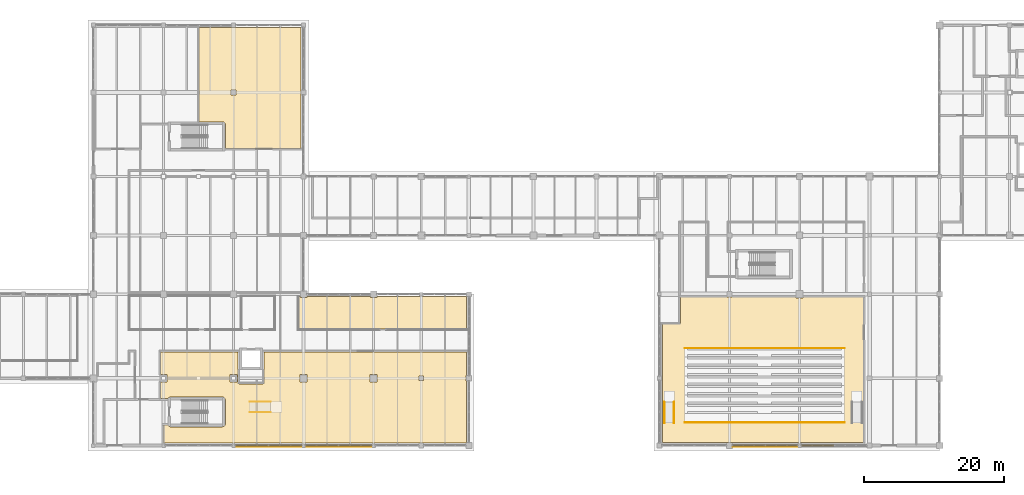
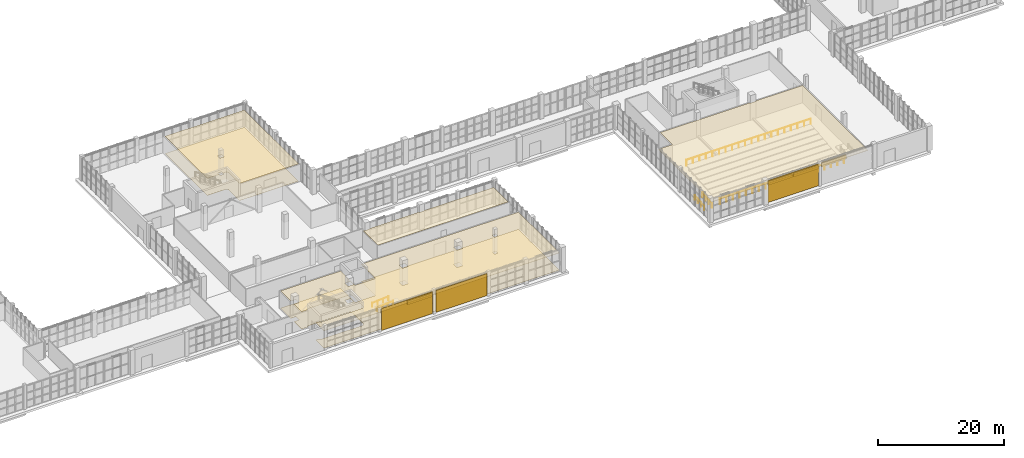
# One storey, part 118 of 121: 13 coverings, 6 railings, 3 shading devices.
"""IFC4 building model written with IfcOpenShell, lengths in metres."""

import ifcopenshell
import ifcopenshell.guid

model = None  # the IFC model being written
_history = None  # IfcOwnerHistory: only IFC2X3 demands one
_inside = {}  # id of a spatial element -> (the spatial element, [elements in it])
_under = {}  # id of a project, library or spatial element -> (it, [spatial elements below it])
_declared = {}  # id of a project -> (the project, [libraries it declares])
_typed = {}  # id of a type object -> (the type object, [elements of that type])
_made_of = {}  # id of a material, layer set ... -> (it, [elements and type objects made of it])


def new_model(schema):
    """Start an empty IFC model of exactly this schema.

    Asked for "IFC4X3", IfcOpenShell would pick the latest addendum, in which some entities
    have other attributes; the version numbers below select the first issue.
    IFC2X3 requires an IfcOwnerHistory on every rooted entity: one is made here for all.
    """
    global model, _history
    if schema == "IFC4X3":
        model = ifcopenshell.file(schema_version=(4, 3, 0, 0))
    else:
        model = ifcopenshell.file(schema=schema)
    _inside.clear()
    _under.clear()
    _declared.clear()
    _typed.clear()
    _made_of.clear()
    _history = None
    if model.schema == "IFC2X3":
        org = make("IfcOrganization", Name="unknown")
        user = make(
            "IfcPersonAndOrganization",
            ThePerson=make("IfcPerson", FamilyName="unknown"),
            TheOrganization=org,
        )
        app = make(
            "IfcApplication",
            ApplicationDeveloper=org,
            Version="unknown",
            ApplicationFullName="unknown",
            ApplicationIdentifier="unknown",
        )
        _history = make(
            "IfcOwnerHistory",
            OwningUser=user,
            OwningApplication=app,
            ChangeAction="ADDED",
            CreationDate=0,
        )
    return model


def make(cls, **values):
    """One entity of the class cls with the attributes given. An attribute that is None is left unset."""
    return model.create_entity(
        cls, **{name: value for name, value in values.items() if value is not None}
    )


def rooted(cls, **values):
    """An entity with a GlobalId (a new one), such as an element, a storey or a relation."""
    return make(cls, GlobalId=ifcopenshell.guid.new(), OwnerHistory=_history, **values)


def si_unit(unit_type, name, prefix=None):
    """IfcSIUnit, for example si_unit("LENGTHUNIT", "METRE", prefix="MILLI")."""
    return make("IfcSIUnit", UnitType=unit_type, Prefix=prefix, Name=name)


def assignment(units):
    """IfcUnitAssignment: the units of a project."""
    return None if units is None else make("IfcUnitAssignment", Units=units)


def point(xyz):
    """IfcCartesianPoint."""
    return None if xyz is None else make("IfcCartesianPoint", Coordinates=xyz)


def direction(xyz):
    """IfcDirection."""
    return None if xyz is None else make("IfcDirection", DirectionRatios=xyz)


def frame(location, z_axis=None, x_axis=None):
    """IfcAxis2Placement3D, a coordinate frame: its origin and axes. An axis left out is left unset."""
    return make(
        "IfcAxis2Placement3D",
        Location=point(location),
        Axis=direction(z_axis),
        RefDirection=direction(x_axis),
    )


def frame_2d(location, x_axis=None):
    """IfcAxis2Placement2D, a coordinate frame in the plane: its origin and x axis."""
    return make(
        "IfcAxis2Placement2D", Location=point(location), RefDirection=direction(x_axis)
    )


def origin():
    """The frame at (0, 0, 0) with its axes left unset."""
    return frame((0.0, 0.0, 0.0))


def origin_2d():
    """The frame at (0, 0) in the plane with its x axis left unset."""
    return frame_2d((0.0, 0.0))


def place(relative_to, where):
    """IfcLocalPlacement: puts the frame where relative to a parent placement (None: the world)."""
    return make(
        "IfcLocalPlacement", PlacementRelTo=relative_to, RelativePlacement=where
    )


def context(
    kind, dimensions, precision=None, world=None, true_north=None, identifier=None
):
    """IfcGeometricRepresentationContext, for example the 3D "Model" context."""
    return make(
        "IfcGeometricRepresentationContext",
        ContextIdentifier=identifier,
        ContextType=kind,
        CoordinateSpaceDimension=dimensions,
        Precision=precision,
        WorldCoordinateSystem=world,
        TrueNorth=true_north,
    )


def subcontext(parent, identifier, kind, view, scale=None):
    """IfcGeometricRepresentationSubContext, for example "Body" below "Model"."""
    return make(
        "IfcGeometricRepresentationSubContext",
        ContextIdentifier=identifier,
        ContextType=kind,
        ParentContext=parent,
        TargetScale=scale,
        TargetView=view,
    )


def project(units=None, contexts=None):
    """IfcProject with its units and contexts."""
    return rooted(
        "IfcProject",
        Name="project",
        RepresentationContexts=contexts,
        UnitsInContext=assignment(units),
    )


def spatial(cls, under=None, at=None, **own):
    """A site, building, storey or space (cls), placed at a placement, below another one or the project."""
    s = rooted(cls, ObjectPlacement=at, **own)
    if under is not None:
        _under.setdefault(under.id(), (under, []))[1].append(s)
    return s


def polyline(points):
    """IfcPolyline through the points."""
    return make("IfcPolyline", Points=[point(p) for p in points])


def profile(cls, at=None, kind="AREA", **sizes):
    """A parametric profile (cls). Its sizes go by their IFC names, for example OverallWidth=200.0."""
    return make(cls, ProfileType=kind, Position=at, **sizes)


def rectangle(**sizes):
    """IfcRectangleProfileDef."""
    return profile("IfcRectangleProfileDef", **sizes)


def circle(**sizes):
    """IfcCircleProfileDef."""
    return profile("IfcCircleProfileDef", **sizes)


def outline(outer, holes=None, kind="AREA"):
    """IfcArbitraryClosedProfileDef: a profile drawn as a closed curve; with holes, ...WithVoids."""
    if holes is None:
        return make("IfcArbitraryClosedProfileDef", ProfileType=kind, OuterCurve=outer)
    return make(
        "IfcArbitraryProfileDefWithVoids",
        ProfileType=kind,
        OuterCurve=outer,
        InnerCurves=holes,
    )


def extrude(swept, where, along, depth):
    """IfcExtrudedAreaSolid: the profile swept, set in the frame where, extruded along a direction by depth."""
    return make(
        "IfcExtrudedAreaSolid",
        SweptArea=swept,
        Position=where,
        ExtrudedDirection=direction(along),
        Depth=depth,
    )


def shape(context_of_items, identifier, shape_type, items):
    """IfcShapeRepresentation: the items that make up one representation, for example the "Body"."""
    return make(
        "IfcShapeRepresentation",
        ContextOfItems=context_of_items,
        RepresentationIdentifier=identifier,
        RepresentationType=shape_type,
        Items=items,
    )


def material(Name=None, Category=None):
    """IfcMaterial."""
    return make("IfcMaterial", Name=Name, Category=Category)


def layer(
    of_material, thickness, ventilated=None, Name=None, Category=None, Priority=None
):
    """IfcMaterialLayer: one layer of a wall or slab, of a material (None: an air gap)."""
    return make(
        "IfcMaterialLayer",
        Material=of_material,
        LayerThickness=thickness,
        IsVentilated=ventilated,
        Name=Name,
        Category=Category,
        Priority=Priority,
    )


def layer_set(layers, Name=None):
    """IfcMaterialLayerSet."""
    return make("IfcMaterialLayerSet", MaterialLayers=layers, LayerSetName=Name)


def made_of(thing, what):
    """Note that an element or type object is made of a material, layer set ...; save() writes the relation."""
    if what is not None:
        _made_of.setdefault(what.id(), (what, []))[1].append(thing)
    return thing


def type_object(cls, material=None, **own):
    """A type object (cls), such as IfcWallType, which elements share."""
    return made_of(rooted(cls, **own), material)


def element(
    cls,
    number,
    at=None,
    inside=None,
    cuts=None,
    type_object=None,
    material=None,
    context=None,
    identifier="Body",
    shape_type=None,
    held_by="IfcProductDefinitionShape",
    body=None,
    shapes=None,
    **own,
):
    """One element of the class cls, such as IfcWall. Its Tag is "e" and its number.

    at: its placement. inside: the storey or other place that contains it. cuts: it is an
    opening in that element (IfcRelVoidsElement). A single representation is given by context,
    identifier, shape_type and body (its items); several are given by shapes. held_by: the class
    of the entity that holds the representations. save() writes the other relations.
    """
    e = rooted(cls, Tag="e%d" % number, ObjectPlacement=at, **own)
    if body is not None:
        shapes = [shape(context, identifier, shape_type, body)]
    if shapes is not None:
        e.Representation = make(held_by, Representations=shapes)
    if inside is not None:
        _inside.setdefault(inside.id(), (inside, []))[1].append(e)
    if cuts is not None:
        rooted(
            "IfcRelVoidsElement", RelatingBuildingElement=cuts, RelatedOpeningElement=e
        )
    if type_object is not None:
        _typed.setdefault(type_object.id(), (type_object, []))[1].append(e)
    return made_of(e, material)


def aggregate(whole, parts):
    """IfcRelAggregates: a whole, such as a stair, and the parts it consists of."""
    return rooted("IfcRelAggregates", RelatingObject=whole, RelatedObjects=parts)


def save(model, path):
    """Write the relations noted so far, then the file.

    IfcRelAggregates (storeys below a building ...), IfcRelContainedInSpatialStructure (elements
    in a storey), IfcRelDefinesByType, IfcRelAssociatesMaterial and IfcRelDeclares: one each for
    every whole, place, type object, material and project.
    """
    for whole, parts in _under.values():
        aggregate(whole, parts)
    for where, things in _inside.values():
        rooted(
            "IfcRelContainedInSpatialStructure",
            RelatedElements=things,
            RelatingStructure=where,
        )
    for kind, things in _typed.values():
        rooted("IfcRelDefinesByType", RelatedObjects=things, RelatingType=kind)
    for what, things in _made_of.values():
        rooted("IfcRelAssociatesMaterial", RelatedObjects=things, RelatingMaterial=what)
    for by, libraries in _declared.values():
        rooted("IfcRelDeclares", RelatingContext=by, RelatedDefinitions=libraries)
    model.write(path)


model = new_model("IFC4")

# Units and contexts
model_context = context("Model", 3, precision=1e-05, world=origin(), true_north=direction((0.0, 1.0)))
body_context = subcontext(model_context, "Body", "Model", "MODEL_VIEW")
ifc_project = project(units=[si_unit("LENGTHUNIT", "METRE"), si_unit("AREAUNIT", "SQUARE_METRE"), si_unit("VOLUMEUNIT", "CUBIC_METRE"), si_unit("PLANEANGLEUNIT", "RADIAN"), si_unit("MASSUNIT", "GRAM", prefix="KILO")], contexts=[model_context])

# Site, building, storey
site_placement = place(None, origin())
site = spatial("IfcSite", under=ifc_project, at=site_placement, CompositionType="ELEMENT")
building_placement = place(site_placement, origin())
building = spatial("IfcBuilding", under=site, at=building_placement, Name="Zereglee Splitstone Museum", CompositionType="ELEMENT")
storey_placement = place(building_placement, origin())
storey = spatial("IfcBuildingStorey", under=building, at=storey_placement, Name="L00", CompositionType="ELEMENT", Elevation=0.0)

# Coverings
ifc_material_1 = material(Name="Perforated acoustic gypsum board ceiling", Category="masonry")
ifc_layer_1 = layer(ifc_material_1, 0.044921875)
ifc_layer_set_1 = layer_set([ifc_layer_1], Name="Perforated acoustic gypsum board ceiling")
covering_type_1 = type_object("IfcCoveringType", Name="CLG-02", PredefinedType="CEILING", material=ifc_layer_set_1)
covering_1_placement = place(storey_placement, frame((0.0, 0.0, 3.3349609375)))
element("IfcCovering", 1, at=covering_1_placement, inside=storey, type_object=covering_type_1, Name="Acoustic Ceiling L00-013", PredefinedType="CEILING", context=body_context, shape_type="SweptSolid", body=[
    extrude(outline(polyline([(204.52001953125, 21.260009765625), (204.741943359375, 21.260009765625), (204.741943359375, 21.14208984375), (205.657958984375, 21.14208984375), (205.657958984375, 21.260009765625), (214.741943359375, 21.260009765625), (214.741943359375, 21.14208984375), (215.657958984375, 21.14208984375), (215.657958984375, 21.260009765625), (228.44189453125, 21.260009765625), (228.44189453125, 21.241943359375), (228.4599609375, 21.241943359375), (228.4599609375, 16.6298828125), (204.52001953125, 16.6298828125), (204.52001953125, 21.260009765625)])), origin(), (0.0, 0.0, 1.0), 0.044921875),
])
ifc_material_2 = material(Name="Siberian larch acoustic timber ceiling", Category="wood")
ifc_layer_2 = layer(ifc_material_2, 0.06005859375)
ifc_layer_set_2 = layer_set([ifc_layer_2], Name="Siberian larch acoustic timber ceiling")
covering_type_2 = type_object("IfcCoveringType", Name="CLG-01", PredefinedType="CEILING", material=ifc_layer_set_2)
covering_2_placement = place(storey_placement, frame((0.0, 0.0, 3.320068359375)))
element("IfcCovering", 2, at=covering_2_placement, inside=storey, type_object=covering_type_2, Name="Acoustic Ceiling L00-010", PredefinedType="CEILING", context=body_context, shape_type="SweptSolid", body=[
    extrude(outline(polyline([(184.780029296875, 9.092041015625), (185.7080078125, 9.092041015625), (185.7080078125, 10.10791015625), (184.780029296875, 10.10791015625), (184.780029296875, 13.3701171875), (195.820068359375, 13.3701171875), (195.820068359375, 9.0), (195.820068359375, 8.9990234375), (195.82080078125, 8.9833984375), (195.821044921875, 8.9814453125), (195.8232421875, 8.9658203125), (195.82373046875, 8.9638671875), (195.827392578125, 8.94873046875), (195.828125, 8.94677734375), (195.833251953125, 8.931884765625), (195.833984375, 8.93017578125), (195.8408203125, 8.916015625), (195.841796875, 8.914306640625), (195.849853515625, 8.90087890625), (195.850830078125, 8.899169921875), (195.8603515625, 8.88671875), (195.861572265625, 8.885009765625), (195.8720703125, 8.873291015625), (195.873291015625, 8.8720703125), (195.885009765625, 8.861572265625), (195.88671875, 8.8603515625), (195.899169921875, 8.850830078125), (195.90087890625, 8.849853515625), (195.914306640625, 8.841796875), (195.916015625, 8.8408203125), (195.93017578125, 8.833984375), (195.931884765625, 8.833251953125), (195.94677734375, 8.828125), (195.94873046875, 8.827392578125), (195.9638671875, 8.82373046875), (195.9658203125, 8.8232421875), (195.9814453125, 8.821044921875), (195.9833984375, 8.82080078125), (195.9990234375, 8.820068359375), (196.0, 8.820068359375), (199.39990234375, 8.820068359375), (199.40087890625, 8.820068359375), (199.416748046875, 8.82080078125), (199.418701171875, 8.821044921875), (199.43408203125, 8.8232421875), (199.43603515625, 8.82373046875), (199.451416015625, 8.827392578125), (199.453125, 8.828125), (199.468017578125, 8.833251953125), (199.4697265625, 8.833984375), (199.48388671875, 8.8408203125), (199.485595703125, 8.841796875), (199.499267578125, 8.849853515625), (199.500732421875, 8.850830078125), (199.513427734375, 8.8603515625), (199.514892578125, 8.861572265625), (199.526611328125, 8.8720703125), (199.528076171875, 8.873291015625), (199.53857421875, 8.885009765625), (199.539794921875, 8.88671875), (199.549072265625, 8.899169921875), (199.55029296875, 8.90087890625), (199.558349609375, 8.914306640625), (199.55908203125, 8.916015625), (199.56591796875, 8.93017578125), (199.566650390625, 8.931884765625), (199.572021484375, 8.94677734375), (199.572509765625, 8.94873046875), (199.576416015625, 8.9638671875), (199.57666015625, 8.9658203125), (199.5791015625, 8.9814453125), (199.5791015625, 8.9833984375), (199.580078125, 8.9990234375), (199.580078125, 9.0), (199.580078125, 13.3701171875), (228.4599609375, 13.3701171875), (228.4599609375, 9.98291015625), (228.4169921875, 9.98291015625), (228.4169921875, 9.217041015625), (228.4599609375, 9.217041015625), (228.4599609375, 0.43310546875), (228.366943359375, 0.43310546875), (228.366943359375, 0.340087890625), (222.35791015625, 0.340087890625), (222.35791015625, 0.35791015625), (221.64208984375, 0.35791015625), (221.64208984375, 0.340087890625), (185.219970703125, 0.340087890625), (185.219970703125, 2.919921875), (185.821044921875, 2.919921875), (185.82958984375, 2.902099609375), (185.850830078125, 2.86669921875), (185.875244140625, 2.83349609375), (185.903076171875, 2.802978515625), (185.93359375, 2.775390625), (185.966796875, 2.750732421875), (186.001953125, 2.7294921875), (186.039306640625, 2.7119140625), (186.078125, 2.697998046875), (186.1181640625, 2.68798828125), (186.15869140625, 2.681884765625), (186.199951171875, 2.679931640625), (193.60009765625, 2.679931640625), (193.64111328125, 2.681884765625), (193.681884765625, 2.68798828125), (193.721923828125, 2.697998046875), (193.7607421875, 2.7119140625), (193.798095703125, 2.7294921875), (193.833251953125, 2.750732421875), (193.866455078125, 2.775390625), (193.89697265625, 2.802978515625), (193.9248046875, 2.83349609375), (193.94921875, 2.86669921875), (193.970458984375, 2.902099609375), (193.988037109375, 2.939208984375), (194.001953125, 2.97802734375), (194.011962890625, 3.01806640625), (194.01806640625, 3.058837890625), (194.02001953125, 3.10009765625), (194.02001953125, 6.5), (194.01806640625, 6.541259765625), (194.011962890625, 6.581787109375), (194.001953125, 6.621826171875), (193.988037109375, 6.66064453125), (193.970458984375, 6.697998046875), (193.94921875, 6.7333984375), (193.9248046875, 6.766357421875), (193.89697265625, 6.797119140625), (193.866455078125, 6.82470703125), (193.833251953125, 6.84912109375), (193.798095703125, 6.870361328125), (193.7607421875, 6.887939453125), (193.721923828125, 6.90185546875), (193.681884765625, 6.911865234375), (193.64111328125, 6.91796875), (193.60009765625, 6.919921875), (186.199951171875, 6.919921875), (186.15869140625, 6.91796875), (186.1181640625, 6.911865234375), (186.078125, 6.90185546875), (186.039306640625, 6.887939453125), (186.001953125, 6.870361328125), (185.966796875, 6.84912109375), (185.93359375, 6.82470703125), (185.903076171875, 6.797119140625), (185.875244140625, 6.766357421875), (185.850830078125, 6.7333984375), (185.82958984375, 6.697998046875), (185.821044921875, 6.679931640625), (184.780029296875, 6.679931640625), (184.780029296875, 9.092041015625)]), holes=[polyline([(204.69189453125, 10.10791015625), (204.69189453125, 9.092041015625), (205.7080078125, 9.092041015625), (205.7080078125, 10.10791015625), (204.69189453125, 10.10791015625)]), polyline([(221.69189453125, 9.907958984375), (221.69189453125, 9.2919921875), (222.30810546875, 9.2919921875), (222.30810546875, 9.907958984375), (221.69189453125, 9.907958984375)]), polyline([(194.69189453125, 10.10791015625), (194.69189453125, 9.092041015625), (195.7080078125, 9.092041015625), (195.7080078125, 10.10791015625), (194.69189453125, 10.10791015625)]), polyline([(215.7080078125, 10.10791015625), (214.69189453125, 10.10791015625), (214.69189453125, 9.092041015625), (215.7080078125, 9.092041015625), (215.7080078125, 10.10791015625)])]), origin(), (0.0, 0.0, 1.0), 0.059814453125),
])
covering_3_placement = place(storey_placement, frame((0.0, 0.0, 3.320068359375)))
element("IfcCovering", 3, at=covering_3_placement, inside=storey, type_object=covering_type_2, Name="Acoustic Ceiling L00-016", PredefinedType="CEILING", context=body_context, shape_type="SweptSolid", body=[
    extrude(outline(polyline([(194.02001953125, 45.800048828125), (194.01806640625, 45.84130859375), (194.011962890625, 45.8818359375), (194.001953125, 45.921875), (193.988037109375, 45.960693359375), (193.970458984375, 45.998046875), (193.94921875, 46.033203125), (193.9248046875, 46.06640625), (193.89697265625, 46.096923828125), (193.866455078125, 46.124755859375), (193.833251953125, 46.149169921875), (193.798095703125, 46.17041015625), (193.7607421875, 46.18798828125), (193.721923828125, 46.201904296875), (193.681884765625, 46.2119140625), (193.64111328125, 46.218017578125), (193.60009765625, 46.219970703125), (190.300048828125, 46.219970703125), (190.300048828125, 59.659912109375), (204.860107421875, 59.659912109375), (204.860107421875, 50.758056640625), (204.842041015625, 50.758056640625), (204.842041015625, 50.0419921875), (204.860107421875, 50.0419921875), (204.860107421875, 42.429931640625), (194.02001953125, 42.429931640625), (194.02001953125, 45.800048828125)]), holes=[polyline([(194.842041015625, 50.758056640625), (194.842041015625, 50.0419921875), (195.55810546875, 50.0419921875), (195.55810546875, 50.758056640625), (194.842041015625, 50.758056640625)])]), origin(), (0.0, 0.0, 1.0), 0.059814453125),
])
covering_4_placement = place(storey_placement, frame((0.0, 0.0, 3.320068359375)))
element("IfcCovering", 4, at=covering_4_placement, inside=storey, type_object=covering_type_2, Name="Acoustic Ceiling L00-018", PredefinedType="CEILING", context=body_context, shape_type="SweptSolid", body=[
    extrude(outline(polyline([(256.419921875, 17.320068359375), (258.800048828125, 17.320068359375), (258.801025390625, 17.320068359375), (258.816650390625, 17.32080078125), (258.818603515625, 17.321044921875), (258.833984375, 17.3232421875), (258.836181640625, 17.32373046875), (258.851318359375, 17.327392578125), (258.853271484375, 17.328125), (258.867919921875, 17.333251953125), (258.869873046875, 17.333984375), (258.884033203125, 17.3408203125), (258.8857421875, 17.341796875), (258.899169921875, 17.349853515625), (258.90087890625, 17.350830078125), (258.913330078125, 17.3603515625), (258.914794921875, 17.361572265625), (258.926513671875, 17.3720703125), (258.927978515625, 17.373291015625), (258.9384765625, 17.385009765625), (258.939697265625, 17.38671875), (258.94921875, 17.399169921875), (258.9501953125, 17.40087890625), (258.958251953125, 17.414306640625), (258.959228515625, 17.416015625), (258.9658203125, 17.43017578125), (258.966796875, 17.431884765625), (258.971923828125, 17.44677734375), (258.972412109375, 17.44873046875), (258.976318359375, 17.4638671875), (258.976806640625, 17.4658203125), (258.97900390625, 17.4814453125), (258.979248046875, 17.4833984375), (258.97998046875, 17.4990234375), (258.97998046875, 17.5), (258.97998046875, 21.199951171875), (275.491943359375, 21.199951171875), (275.491943359375, 21.092041015625), (276.508056640625, 21.092041015625), (276.508056640625, 21.199951171875), (285.1201171875, 21.199951171875), (285.1201171875, 0.419921875), (266.43310546875, 0.419921875), (266.43310546875, 0.43310546875), (265.56689453125, 0.43310546875), (265.56689453125, 0.419921875), (256.419921875, 0.419921875), (256.419921875, 17.320068359375)])), origin(), (0.0, 0.0, 1.0), 0.059814453125),
])
ifc_material_3 = material(Name="Honed Gobi pale limestone stringcourse and soffit cladding", Category="masonry")
ifc_layer_3 = layer(ifc_material_3, 0.070068359375)
ifc_layer_set_3 = layer_set([ifc_layer_3], Name="Honed Gobi pale limestone stringcourse and soffit cladding")
covering_type_3 = type_object("IfcCoveringType", Name="CL-02", PredefinedType="CLADDING", material=ifc_layer_set_3)
for number, where, z_axis, x_axis, name in (
    (5, (197.80908203125, 0.0, 3.405029296875), (0.0, 0.0, 1.0), (1.0, 0.0, 0.0), "Mughal Carved Clerestory Jaali Frieze RC4-CW-L00-002-1"),
    (6, (202.591064453125, 0.0, 3.385009765625), (0.0, 0.0, 1.0), (1.0, 0.0, 0.0), "Mughal Carved Clerestory Jaali Frieze RC4-CW-L00-002-2"),
    (7, (207.80908203125, 0.0, 3.52490234375), (0.0, 0.0, 1.0), (1.0, 0.0, 0.0), "Mughal Carved Clerestory Jaali Frieze RC4-CW-L00-003-1"),
    (8, (212.591064453125, 0.0, 3.5048828125), (0.0, 0.0, 1.0), (1.0, 0.0, 0.0), "Mughal Carved Clerestory Jaali Frieze RC4-CW-L00-003-2"),
):
    element("IfcCovering", number, at=place(storey_placement, frame(where, z_axis=z_axis, x_axis=x_axis)), inside=storey, type_object=covering_type_3, Name=name, PredefinedType="CLADDING", context=body_context, shape_type="SweptSolid", body=[
        extrude(rectangle(XDim=4.6201171875, YDim=0.239990234375, at=origin_2d()), origin(), (0.0, 0.0, 1.0), 0.75),
    ])
for number, where, z_axis, x_axis, name in (
    (9, (268.740234375, 0.0, 3.405029296875), (0.0, 0.0, 1.0), (1.0, 0.0, 0.0), "Mughal Carved Clerestory Jaali Frieze RC4-CW-L00-020-1"),
    (10, (273.434814453125, 0.0, 3.385009765625), (0.0, 0.0, 1.0), (1.0, 0.0, 0.0), "Mughal Carved Clerestory Jaali Frieze RC4-CW-L00-020-2"),
):
    element("IfcCovering", number, at=place(storey_placement, frame(where, z_axis=z_axis, x_axis=x_axis)), inside=storey, type_object=covering_type_3, Name=name, PredefinedType="CLADDING", context=body_context, shape_type="SweptSolid", body=[
        extrude(rectangle(XDim=4.530029296875, YDim=0.239990234375, at=origin_2d()), origin(), (0.0, 0.0, 1.0), 0.75),
    ])
covering_5_placement = place(storey_placement, frame((278.57763671875, 0.0, 3.52490234375), z_axis=(0.0, 0.0, 1.0), x_axis=(1.0, 0.0, 0.0)))
element("IfcCovering", 11, at=covering_5_placement, inside=storey, type_object=covering_type_3, Name="Mughal Carved Clerestory Jaali Frieze RC4-CW-L00-021-1", PredefinedType="CLADDING", context=body_context, shape_type="SweptSolid", body=[
    extrude(rectangle(XDim=4.56005859375, YDim=0.239990234375, at=origin_2d()), origin(), (0.0, 0.0, 1.0), 0.75),
])
ifc_material_4 = material(Name="Honed Gobi granite terrazzo flooring", Category="masonry")
ifc_layer_4 = layer(ifc_material_4, 0.030029296875)
ifc_layer_set_4 = layer_set([ifc_layer_4], Name="Honed Gobi granite terrazzo flooring")
covering_type_4 = type_object("IfcCoveringType", Name="FLR-01", PredefinedType="FLOORING", material=ifc_layer_set_4)
covering_6_placement = place(storey_placement, origin())
element("IfcCovering", 12, at=covering_6_placement, inside=storey, type_object=covering_type_4, Name="Terrazzo Gallery Flooring L00-006", PredefinedType="FLOORING", context=body_context, shape_type="SweptSolid", body=[
    extrude(outline(polyline([(184.780029296875, 9.092041015625), (185.7080078125, 9.092041015625), (185.7080078125, 10.10791015625), (184.780029296875, 10.10791015625), (184.780029296875, 13.3701171875), (195.820068359375, 13.3701171875), (195.820068359375, 9.0), (195.820068359375, 8.9990234375), (195.82080078125, 8.9833984375), (195.821044921875, 8.9814453125), (195.8232421875, 8.9658203125), (195.82373046875, 8.9638671875), (195.827392578125, 8.94873046875), (195.828125, 8.94677734375), (195.833251953125, 8.931884765625), (195.833984375, 8.93017578125), (195.8408203125, 8.916015625), (195.841796875, 8.914306640625), (195.849853515625, 8.90087890625), (195.850830078125, 8.899169921875), (195.8603515625, 8.88671875), (195.861572265625, 8.885009765625), (195.8720703125, 8.873291015625), (195.873291015625, 8.8720703125), (195.885009765625, 8.861572265625), (195.88671875, 8.8603515625), (195.899169921875, 8.850830078125), (195.90087890625, 8.849853515625), (195.914306640625, 8.841796875), (195.916015625, 8.8408203125), (195.93017578125, 8.833984375), (195.931884765625, 8.833251953125), (195.94677734375, 8.828125), (195.94873046875, 8.827392578125), (195.9638671875, 8.82373046875), (195.9658203125, 8.8232421875), (195.9814453125, 8.821044921875), (195.9833984375, 8.82080078125), (195.9990234375, 8.820068359375), (196.0, 8.820068359375), (199.39990234375, 8.820068359375), (199.40087890625, 8.820068359375), (199.416748046875, 8.82080078125), (199.418701171875, 8.821044921875), (199.43408203125, 8.8232421875), (199.43603515625, 8.82373046875), (199.451416015625, 8.827392578125), (199.453125, 8.828125), (199.468017578125, 8.833251953125), (199.4697265625, 8.833984375), (199.48388671875, 8.8408203125), (199.485595703125, 8.841796875), (199.499267578125, 8.849853515625), (199.500732421875, 8.850830078125), (199.513427734375, 8.8603515625), (199.514892578125, 8.861572265625), (199.526611328125, 8.8720703125), (199.528076171875, 8.873291015625), (199.53857421875, 8.885009765625), (199.539794921875, 8.88671875), (199.549072265625, 8.899169921875), (199.55029296875, 8.90087890625), (199.558349609375, 8.914306640625), (199.55908203125, 8.916015625), (199.56591796875, 8.93017578125), (199.566650390625, 8.931884765625), (199.572021484375, 8.94677734375), (199.572509765625, 8.94873046875), (199.576416015625, 8.9638671875), (199.57666015625, 8.9658203125), (199.5791015625, 8.9814453125), (199.5791015625, 8.9833984375), (199.580078125, 8.9990234375), (199.580078125, 9.0), (199.580078125, 13.3701171875), (228.4599609375, 13.3701171875), (228.4599609375, 9.98291015625), (228.4169921875, 9.98291015625), (228.4169921875, 9.217041015625), (228.4599609375, 9.217041015625), (228.4599609375, 0.43310546875), (228.366943359375, 0.43310546875), (228.366943359375, 0.340087890625), (222.35791015625, 0.340087890625), (222.35791015625, 0.35791015625), (221.64208984375, 0.35791015625), (221.64208984375, 0.340087890625), (185.219970703125, 0.340087890625), (185.219970703125, 2.919921875), (185.821044921875, 2.919921875), (185.82958984375, 2.902099609375), (185.850830078125, 2.86669921875), (185.875244140625, 2.83349609375), (185.903076171875, 2.802978515625), (185.93359375, 2.775390625), (185.966796875, 2.750732421875), (186.001953125, 2.7294921875), (186.039306640625, 2.7119140625), (186.078125, 2.697998046875), (186.1181640625, 2.68798828125), (186.15869140625, 2.681884765625), (186.199951171875, 2.679931640625), (193.60009765625, 2.679931640625), (193.64111328125, 2.681884765625), (193.681884765625, 2.68798828125), (193.721923828125, 2.697998046875), (193.7607421875, 2.7119140625), (193.798095703125, 2.7294921875), (193.833251953125, 2.750732421875), (193.866455078125, 2.775390625), (193.89697265625, 2.802978515625), (193.9248046875, 2.83349609375), (193.94921875, 2.86669921875), (193.970458984375, 2.902099609375), (193.988037109375, 2.939208984375), (194.001953125, 2.97802734375), (194.011962890625, 3.01806640625), (194.01806640625, 3.058837890625), (194.02001953125, 3.10009765625), (194.02001953125, 6.5), (194.01806640625, 6.541259765625), (194.011962890625, 6.581787109375), (194.001953125, 6.621826171875), (193.988037109375, 6.66064453125), (193.970458984375, 6.697998046875), (193.94921875, 6.7333984375), (193.9248046875, 6.766357421875), (193.89697265625, 6.797119140625), (193.866455078125, 6.82470703125), (193.833251953125, 6.84912109375), (193.798095703125, 6.870361328125), (193.7607421875, 6.887939453125), (193.721923828125, 6.90185546875), (193.681884765625, 6.911865234375), (193.64111328125, 6.91796875), (193.60009765625, 6.919921875), (186.199951171875, 6.919921875), (186.15869140625, 6.91796875), (186.1181640625, 6.911865234375), (186.078125, 6.90185546875), (186.039306640625, 6.887939453125), (186.001953125, 6.870361328125), (185.966796875, 6.84912109375), (185.93359375, 6.82470703125), (185.903076171875, 6.797119140625), (185.875244140625, 6.766357421875), (185.850830078125, 6.7333984375), (185.82958984375, 6.697998046875), (185.821044921875, 6.679931640625), (184.780029296875, 6.679931640625), (184.780029296875, 9.092041015625)]), holes=[polyline([(204.69189453125, 10.10791015625), (204.69189453125, 9.092041015625), (205.7080078125, 9.092041015625), (205.7080078125, 10.10791015625), (204.69189453125, 10.10791015625)]), polyline([(221.69189453125, 9.907958984375), (221.69189453125, 9.2919921875), (222.30810546875, 9.2919921875), (222.30810546875, 9.907958984375), (221.69189453125, 9.907958984375)]), polyline([(194.69189453125, 10.10791015625), (194.69189453125, 9.092041015625), (195.7080078125, 9.092041015625), (195.7080078125, 10.10791015625), (194.69189453125, 10.10791015625)]), polyline([(215.7080078125, 10.10791015625), (214.69189453125, 10.10791015625), (214.69189453125, 9.092041015625), (215.7080078125, 9.092041015625), (215.7080078125, 10.10791015625)])]), origin(), (0.0, 0.0, 1.0), 0.030029296875),
])
covering_7_placement = place(storey_placement, origin())
element("IfcCovering", 13, at=covering_7_placement, inside=storey, type_object=covering_type_4, Name="Terrazzo Gallery Flooring L00-008", PredefinedType="FLOORING", context=body_context, shape_type="SweptSolid", body=[
    extrude(outline(polyline([(194.02001953125, 45.800048828125), (194.01806640625, 45.84130859375), (194.011962890625, 45.8818359375), (194.001953125, 45.921875), (193.988037109375, 45.960693359375), (193.970458984375, 45.998046875), (193.94921875, 46.033203125), (193.9248046875, 46.06640625), (193.89697265625, 46.096923828125), (193.866455078125, 46.124755859375), (193.833251953125, 46.149169921875), (193.798095703125, 46.17041015625), (193.7607421875, 46.18798828125), (193.721923828125, 46.201904296875), (193.681884765625, 46.2119140625), (193.64111328125, 46.218017578125), (193.60009765625, 46.219970703125), (190.300048828125, 46.219970703125), (190.300048828125, 59.659912109375), (204.860107421875, 59.659912109375), (204.860107421875, 50.758056640625), (204.842041015625, 50.758056640625), (204.842041015625, 50.0419921875), (204.860107421875, 50.0419921875), (204.860107421875, 42.429931640625), (194.02001953125, 42.429931640625), (194.02001953125, 45.800048828125)]), holes=[polyline([(194.842041015625, 50.758056640625), (194.842041015625, 50.0419921875), (195.55810546875, 50.0419921875), (195.55810546875, 50.758056640625), (194.842041015625, 50.758056640625)])]), origin(), (0.0, 0.0, 1.0), 0.030029296875),
])

# Railings
ifc_material_5 = material(Name="Glazed laminated glass and bronze balustrade", Category="glass")
railing_type_1 = type_object("IfcRailingType", Name="GR-02", PredefinedType="BALUSTRADE", material=ifc_material_5)
railing_1_placement = place(storey_placement, frame((259.60009765625, 3.280029296875, 0.14990234375)))
element("IfcRailing", 14, at=railing_1_placement, inside=storey, type_object=railing_type_1, Name="Auditorium Seating Tier Front Crowd Barrier", PredefinedType="BALUSTRADE", context=body_context, shape_type="SweptSolid", body=[
    extrude(circle(Radius=0.02392578125, at=origin_2d()), frame((0.0, 0.0, 1.076416015625), z_axis=(1.0, 0.0, 0.0), x_axis=(0.0, 1.0, 0.0)), (0.0, 0.0, 1.0), 22.7998046875),
    extrude(circle(Radius=0.02099609375, at=origin_2d()), origin(), (0.0, 0.0, 1.0), 1.052001953125),
    extrude(circle(Radius=0.02099609375, at=origin_2d()), frame((1.199951171875, 0.0, 0.0)), (0.0, 0.0, 1.0), 1.052001953125),
    extrude(circle(Radius=0.02099609375, at=origin_2d()), frame((2.39990234375, 0.0, 0.0)), (0.0, 0.0, 1.0), 1.052001953125),
    extrude(circle(Radius=0.02099609375, at=origin_2d()), frame((3.599853515625, 0.0, 0.0)), (0.0, 0.0, 1.0), 1.052001953125),
    extrude(circle(Radius=0.02099609375, at=origin_2d()), frame((4.800048828125, 0.0, 0.0)), (0.0, 0.0, 1.0), 1.052001953125),
    extrude(circle(Radius=0.02099609375, at=origin_2d()), frame((6.0, 0.0, 0.0)), (0.0, 0.0, 1.0), 1.052001953125),
    extrude(circle(Radius=0.02099609375, at=origin_2d()), frame((7.199951171875, 0.0, 0.0)), (0.0, 0.0, 1.0), 1.052001953125),
    extrude(circle(Radius=0.02099609375, at=origin_2d()), frame((8.39990234375, 0.0, 0.0)), (0.0, 0.0, 1.0), 1.052001953125),
    extrude(circle(Radius=0.02099609375, at=origin_2d()), frame((9.599853515625, 0.0, 0.0)), (0.0, 0.0, 1.0), 1.052001953125),
    extrude(circle(Radius=0.02099609375, at=origin_2d()), frame((10.7998046875, 0.0, 0.0)), (0.0, 0.0, 1.0), 1.052001953125),
    extrude(circle(Radius=0.02099609375, at=origin_2d()), frame((12.0, 0.0, 0.0)), (0.0, 0.0, 1.0), 1.052001953125),
    extrude(circle(Radius=0.02099609375, at=origin_2d()), frame((13.199951171875, 0.0, 0.0)), (0.0, 0.0, 1.0), 1.052001953125),
    extrude(circle(Radius=0.02099609375, at=origin_2d()), frame((14.39990234375, 0.0, 0.0)), (0.0, 0.0, 1.0), 1.052001953125),
    extrude(circle(Radius=0.02099609375, at=origin_2d()), frame((15.599853515625, 0.0, 0.0)), (0.0, 0.0, 1.0), 1.052001953125),
    extrude(circle(Radius=0.02099609375, at=origin_2d()), frame((16.7998046875, 0.0, 0.0)), (0.0, 0.0, 1.0), 1.052001953125),
    extrude(circle(Radius=0.02099609375, at=origin_2d()), frame((17.999755859375, 0.0, 0.0)), (0.0, 0.0, 1.0), 1.052001953125),
    extrude(circle(Radius=0.02099609375, at=origin_2d()), frame((19.199951171875, 0.0, 0.0)), (0.0, 0.0, 1.0), 1.052001953125),
    extrude(circle(Radius=0.02099609375, at=origin_2d()), frame((20.39990234375, 0.0, 0.0)), (0.0, 0.0, 1.0), 1.052001953125),
    extrude(circle(Radius=0.02099609375, at=origin_2d()), frame((21.599853515625, 0.0, 0.0)), (0.0, 0.0, 1.0), 1.052001953125),
    extrude(circle(Radius=0.02099609375, at=origin_2d()), frame((22.7998046875, 0.0, 0.0)), (0.0, 0.0, 1.0), 1.052001953125),
])
railing_2_placement = place(storey_placement, frame((259.60009765625, 13.89990234375, 1.199951171875)))
element("IfcRailing", 15, at=railing_2_placement, inside=storey, type_object=railing_type_1, Name="Auditorium Seating Tier Rear Guard", PredefinedType="BALUSTRADE", context=body_context, shape_type="SweptSolid", body=[
    extrude(circle(Radius=0.02392578125, at=origin_2d()), frame((0.0, 0.0, 1.076416015625), z_axis=(1.0, 0.0, 0.0), x_axis=(0.0, 1.0, 0.0)), (0.0, 0.0, 1.0), 22.7998046875),
    extrude(circle(Radius=0.02099609375, at=origin_2d()), origin(), (0.0, 0.0, 1.0), 1.052001953125),
    extrude(circle(Radius=0.02099609375, at=origin_2d()), frame((1.199951171875, 0.0, 0.0)), (0.0, 0.0, 1.0), 1.052001953125),
    extrude(circle(Radius=0.02099609375, at=origin_2d()), frame((2.39990234375, 0.0, 0.0)), (0.0, 0.0, 1.0), 1.052001953125),
    extrude(circle(Radius=0.02099609375, at=origin_2d()), frame((3.599853515625, 0.0, 0.0)), (0.0, 0.0, 1.0), 1.052001953125),
    extrude(circle(Radius=0.02099609375, at=origin_2d()), frame((4.800048828125, 0.0, 0.0)), (0.0, 0.0, 1.0), 1.052001953125),
    extrude(circle(Radius=0.02099609375, at=origin_2d()), frame((6.0, 0.0, 0.0)), (0.0, 0.0, 1.0), 1.052001953125),
    extrude(circle(Radius=0.02099609375, at=origin_2d()), frame((7.199951171875, 0.0, 0.0)), (0.0, 0.0, 1.0), 1.052001953125),
    extrude(circle(Radius=0.02099609375, at=origin_2d()), frame((8.39990234375, 0.0, 0.0)), (0.0, 0.0, 1.0), 1.052001953125),
    extrude(circle(Radius=0.02099609375, at=origin_2d()), frame((9.599853515625, 0.0, 0.0)), (0.0, 0.0, 1.0), 1.052001953125),
    extrude(circle(Radius=0.02099609375, at=origin_2d()), frame((10.7998046875, 0.0, 0.0)), (0.0, 0.0, 1.0), 1.052001953125),
    extrude(circle(Radius=0.02099609375, at=origin_2d()), frame((12.0, 0.0, 0.0)), (0.0, 0.0, 1.0), 1.052001953125),
    extrude(circle(Radius=0.02099609375, at=origin_2d()), frame((13.199951171875, 0.0, 0.0)), (0.0, 0.0, 1.0), 1.052001953125),
    extrude(circle(Radius=0.02099609375, at=origin_2d()), frame((14.39990234375, 0.0, 0.0)), (0.0, 0.0, 1.0), 1.052001953125),
    extrude(circle(Radius=0.02099609375, at=origin_2d()), frame((15.599853515625, 0.0, 0.0)), (0.0, 0.0, 1.0), 1.052001953125),
    extrude(circle(Radius=0.02099609375, at=origin_2d()), frame((16.7998046875, 0.0, 0.0)), (0.0, 0.0, 1.0), 1.052001953125),
    extrude(circle(Radius=0.02099609375, at=origin_2d()), frame((17.999755859375, 0.0, 0.0)), (0.0, 0.0, 1.0), 1.052001953125),
    extrude(circle(Radius=0.02099609375, at=origin_2d()), frame((19.199951171875, 0.0, 0.0)), (0.0, 0.0, 1.0), 1.052001953125),
    extrude(circle(Radius=0.02099609375, at=origin_2d()), frame((20.39990234375, 0.0, 0.0)), (0.0, 0.0, 1.0), 1.052001953125),
    extrude(circle(Radius=0.02099609375, at=origin_2d()), frame((21.599853515625, 0.0, 0.0)), (0.0, 0.0, 1.0), 1.052001953125),
    extrude(circle(Radius=0.02099609375, at=origin_2d()), frame((22.7998046875, 0.0, 0.0)), (0.0, 0.0, 1.0), 1.052001953125),
])
ifc_material_6 = material(Name="Architectural bronze tubular handrail", Category="steel")
railing_type_2 = type_object("IfcRailingType", Name="HR-01", PredefinedType="HANDRAIL", material=ifc_material_6)
for number, where, name in (
    (16, (256.699951171875, 3.199951171875, 0.0), "Auditorium Vomitory Ramp VR-1 Handrail L"),
    (17, (258.10009765625, 3.199951171875, 0.0), "Auditorium Vomitory Ramp VR-1 Handrail R"),
):
    element("IfcRailing", number, at=place(storey_placement, frame(where)), inside=storey, type_object=railing_type_2, Name=name, PredefinedType="HANDRAIL", context=body_context, shape_type="SweptSolid", body=[
        extrude(circle(Radius=0.02392578125, at=origin_2d()), frame((0.0, 0.0, 0.8759765625), z_axis=(0.0, 0.996545758245, 0.083045479854), x_axis=(-1.0, 0.0, 0.0)), (0.0, 0.0, 1.0), 3.010498046875),
        extrude(circle(Radius=0.02099609375, at=origin_2d()), origin(), (0.0, 0.0, 1.0), 0.851806640625),
        extrude(circle(Radius=0.02099609375, at=origin_2d()), frame((0.0, 1.0, 0.083251953125)), (0.0, 0.0, 1.0), 0.851806640625),
        extrude(circle(Radius=0.02099609375, at=origin_2d()), frame((0.0, 2.0, 0.166748046875)), (0.0, 0.0, 1.0), 0.851806640625),
        extrude(circle(Radius=0.02099609375, at=origin_2d()), frame((0.0, 3.0, 0.25)), (0.0, 0.0, 1.0), 0.851806640625),
    ])
for number, where, name in (
    (18, (197.5, 6.25, 0.0), "Ecology Diorama Accessible Ramp AR-3 Handrail L"),
    (19, (197.5, 4.75, 0.0), "Ecology Diorama Accessible Ramp AR-3 Handrail R"),
):
    element("IfcRailing", number, at=place(storey_placement, frame(where)), inside=storey, type_object=railing_type_2, Name=name, PredefinedType="HANDRAIL", context=body_context, shape_type="SweptSolid", body=[
        extrude(circle(Radius=0.02392578125, at=origin_2d()), frame((0.0, 0.0, 0.8759765625), z_axis=(0.996545758245, 0.0, 0.083045479854), x_axis=(0.0, 1.0, 0.0)), (0.0, 0.0, 1.0), 3.010498046875),
        extrude(circle(Radius=0.02099609375, at=origin_2d()), origin(), (0.0, 0.0, 1.0), 0.851806640625),
        extrude(circle(Radius=0.02099609375, at=origin_2d()), frame((1.0, 0.0, 0.083251953125)), (0.0, 0.0, 1.0), 0.851806640625),
        extrude(circle(Radius=0.02099609375, at=origin_2d()), frame((2.0, 0.0, 0.166748046875)), (0.0, 0.0, 1.0), 0.851806640625),
        extrude(circle(Radius=0.02099609375, at=origin_2d()), frame((3.0, 0.0, 0.25)), (0.0, 0.0, 1.0), 0.851806640625),
    ])

# Shading devices
ifc_material_7 = material(Name="Patinated architectural bronze CuSn8 geometric jali screen")
ifc_layer_5 = layer(ifc_material_7, 0.06005859375)
ifc_layer_set_5 = layer_set([ifc_layer_5], Name="Patinated architectural bronze CuSn8 geometric jali screen")
shading_device_type = type_object("IfcShadingDeviceType", Name="JL-01", PredefinedType="USERDEFINED", material=ifc_layer_set_5)
for number, where, z_axis, x_axis, name in (
    (20, (195.508056640625, -0.080078125, 0.1201171875), (0.0, -1.0, 0.0), (1.0, 0.0, 0.0), "Bronze Mughal Jali Screen 01"),
    (21, (205.508056640625, -0.080078125, 0.1201171875), (0.0, -1.0, 0.0), (1.0, 0.0, 0.0), "Bronze Mughal Jali Screen 02"),
):
    element("IfcShadingDevice", number, at=place(storey_placement, frame(where, z_axis=z_axis, x_axis=x_axis)), inside=storey, type_object=shading_device_type, Name=name, ObjectType="SCREEN", PredefinedType="USERDEFINED", context=body_context, shape_type="SweptSolid", body=[
        extrude(outline(polyline([(0.0, 0.0), (9.384033203125, 0.0), (9.384033203125, 4.259765625), (0.0, 4.259765625), (0.0, 0.0)])), origin(), (0.0, 0.0, 1.0), 0.06005859375),
    ])
shading_device_placement = place(storey_placement, frame((266.48291015625, -0.080078125, 0.1201171875), z_axis=(0.0, -1.0, 0.0), x_axis=(1.0, 0.0, 0.0)))
element("IfcShadingDevice", 22, at=shading_device_placement, inside=storey, type_object=shading_device_type, Name="Bronze Mughal Jali Screen 03", ObjectType="SCREEN", PredefinedType="USERDEFINED", context=body_context, shape_type="SweptSolid", body=[
    extrude(outline(polyline([(0.0, 0.0), (9.208984375, 0.0), (9.208984375, 4.259765625), (0.0, 4.259765625), (0.0, 0.0)])), origin(), (0.0, 0.0, 1.0), 0.06005859375),
])

save(model, "model.ifc")
